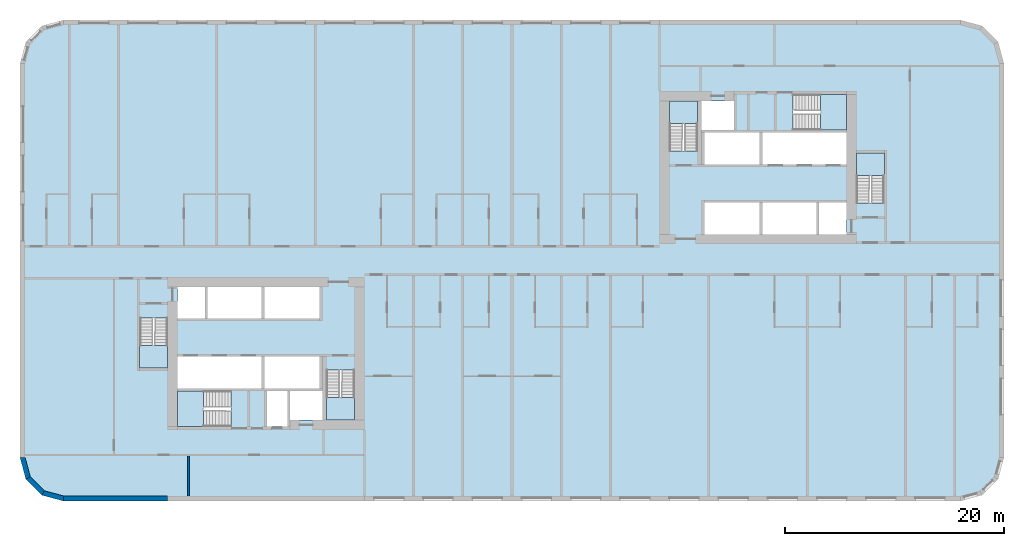
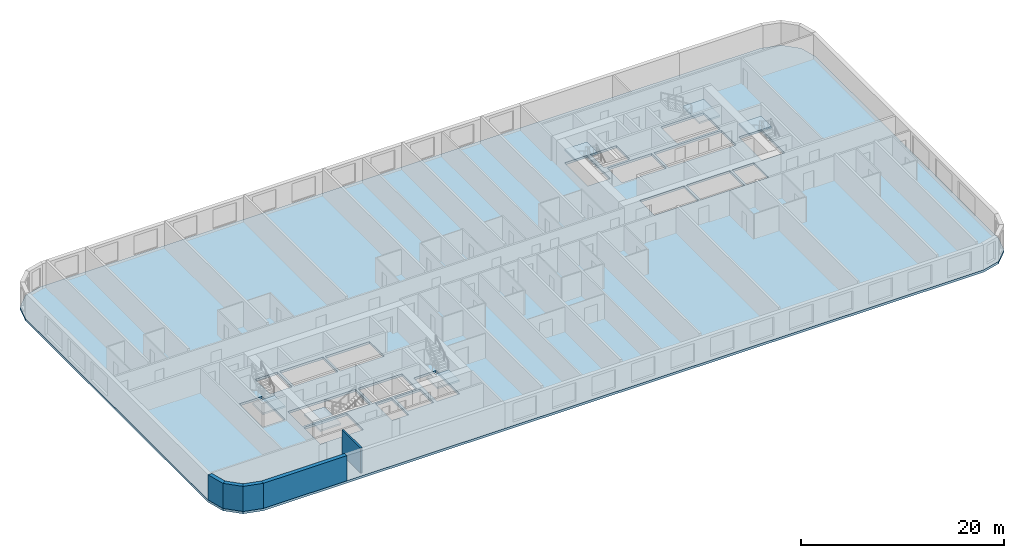
# One storey, part 1 of 12: 7 slabs, 5 walls, 6 elements without a shape of their own.
"""IFC4 building model written with IfcOpenShell, lengths in metres."""

from ifc_helpers import new_model, si_unit, direction, frame, frame_2d, origin, place, context, subcontext, project, spatial, polyline, rectangle, outline, extrude, material, layer, layer_set, type_object, element, aggregate, save


model = new_model("IFC4")

# Units and contexts
model_context = context("Model", 3, precision=1e-05, world=origin(), true_north=direction((0.0, 1.0)))
body_context = subcontext(model_context, "Body", "Model", "MODEL_VIEW")
ifc_project = project(units=[si_unit("LENGTHUNIT", "METRE"), si_unit("AREAUNIT", "SQUARE_METRE"), si_unit("VOLUMEUNIT", "CUBIC_METRE"), si_unit("PLANEANGLEUNIT", "RADIAN"), si_unit("MASSUNIT", "GRAM", prefix="KILO")], contexts=[model_context])

# Site, building, storey
site_placement = place(None, origin())
site = spatial("IfcSite", under=ifc_project, at=site_placement, CompositionType="ELEMENT")
building_placement = place(site_placement, origin())
building = spatial("IfcBuilding", under=site, at=building_placement, Name="Kajstack Hotel Tower", CompositionType="ELEMENT")
storey_placement = place(building_placement, frame((0.0, 0.0, 93.0)))
storey = spatial("IfcBuildingStorey", under=building, at=storey_placement, Name="L19", CompositionType="ELEMENT", Elevation=93.0)

# Slab
ifc_material_1 = material(Name="Concrete C40/50", Category="concrete")
ifc_layer_1 = layer(ifc_material_1, 0.280029296875)
ifc_layer_set_1 = layer_set([ifc_layer_1], Name="RC slab 280 C40/50 guest")
slab_type_1 = type_object("IfcSlabType", Name="RC slab 280 C40/50 guest", PredefinedType="FLOOR", material=ifc_layer_set_1)
slab_1_placement = place(storey_placement, frame((0.0, 0.0, -0.280029296875)))
element("IfcSlab", 1, at=slab_1_placement, inside=storey, type_object=slab_type_1, Name="S-slab-L19", PredefinedType="FLOOR", context=body_context, shape_type="SweptSolid", body=[
    extrude(outline(polyline([(-45.0, -18.0), (-44.464111328125, -20.0), (-43.0, -21.464111328125), (-41.0, -22.0), (41.0, -22.0), (43.0, -21.464111328125), (44.464111328125, -20.0), (45.0, -18.0), (45.0, 18.0), (44.464111328125, 20.0), (43.0, 21.464111328125), (41.0, 22.0), (-41.0, 22.0), (-43.0, 21.464111328125), (-44.464111328125, 20.0), (-45.0, 18.0), (-45.0, -18.0)]), holes=[polyline([(-30.60009765625, -11.699951171875), (-30.60009765625, -8.800048828125), (-22.89990234375, -8.800048828125), (-22.89990234375, -11.699951171875), (-30.60009765625, -11.699951171875)]), polyline([(-22.64990234375, -11.699951171875), (-22.64990234375, -8.800048828125), (-17.60009765625, -8.800048828125), (-17.60009765625, -11.699951171875), (-22.64990234375, -11.699951171875)]), polyline([(-27.85009765625, -5.300048828125), (-27.85009765625, -2.39990234375), (-22.89990234375, -2.39990234375), (-22.89990234375, -5.300048828125), (-27.85009765625, -5.300048828125)]), polyline([(-22.64990234375, -5.300048828125), (-22.64990234375, -2.39990234375), (-17.60009765625, -2.39990234375), (-17.60009765625, -5.300048828125), (-22.64990234375, -5.300048828125)]), polyline([(-20.300048828125, -14.60009765625), (-17.35009765625, -14.60009765625), (-17.35009765625, -11.949951171875), (-20.300048828125, -11.949951171875), (-20.300048828125, -14.60009765625)]), polyline([(-30.60009765625, -5.300048828125), (-28.10009765625, -5.300048828125), (-28.10009765625, -2.39990234375), (-30.60009765625, -2.39990234375), (-30.60009765625, -5.300048828125)]), polyline([(22.89990234375, 8.800048828125), (22.89990234375, 11.699951171875), (30.60009765625, 11.699951171875), (30.60009765625, 8.800048828125), (22.89990234375, 8.800048828125)]), polyline([(17.60009765625, 8.800048828125), (17.60009765625, 11.699951171875), (22.64990234375, 11.699951171875), (22.64990234375, 8.800048828125), (17.60009765625, 8.800048828125)]), polyline([(22.89990234375, 2.39990234375), (22.89990234375, 5.300048828125), (27.85009765625, 5.300048828125), (27.85009765625, 2.39990234375), (22.89990234375, 2.39990234375)]), polyline([(17.60009765625, 2.39990234375), (17.60009765625, 5.300048828125), (22.64990234375, 5.300048828125), (22.64990234375, 2.39990234375), (17.60009765625, 2.39990234375)]), polyline([(20.300048828125, 14.60009765625), (17.35009765625, 14.60009765625), (17.35009765625, 11.949951171875), (20.300048828125, 11.949951171875), (20.300048828125, 14.60009765625)]), polyline([(30.60009765625, 5.300048828125), (28.10009765625, 5.300048828125), (28.10009765625, 2.39990234375), (30.60009765625, 2.39990234375), (30.60009765625, 5.300048828125)]), polyline([(-34.050048828125, -9.85009765625), (-31.5, -9.85009765625), (-31.5, -5.25), (-34.050048828125, -5.25), (-34.050048828125, -9.85009765625)]), polyline([(-16.949951171875, -14.60009765625), (-14.39990234375, -14.60009765625), (-14.39990234375, -10.0), (-16.949951171875, -10.0), (-16.949951171875, -14.60009765625)]), polyline([(-30.60009765625, -15.199951171875), (-25.699951171875, -15.199951171875), (-25.699951171875, -11.949951171875), (-30.60009765625, -11.949951171875), (-30.60009765625, -15.199951171875)]), polyline([(34.050048828125, 9.85009765625), (31.5, 9.85009765625), (31.5, 5.25), (34.050048828125, 5.25), (34.050048828125, 9.85009765625)]), polyline([(16.949951171875, 14.60009765625), (14.39990234375, 14.60009765625), (14.39990234375, 10.0), (16.949951171875, 10.0), (16.949951171875, 14.60009765625)]), polyline([(30.60009765625, 15.199951171875), (25.699951171875, 15.199951171875), (25.699951171875, 11.949951171875), (30.60009765625, 11.949951171875), (30.60009765625, 15.199951171875)]), polyline([(-22.425048828125, -15.199951171875), (-22.425048828125, -11.949951171875), (-20.550048828125, -11.949951171875), (-20.550048828125, -15.199951171875), (-22.425048828125, -15.199951171875)])]), origin(), (0.0, 0.0, 1.0), 0.280029296875),
])

# Stair, slab
stair_type_1 = type_object("IfcStairType", Name="Exit stair 1200", PredefinedType="HALF_TURN_STAIR", material=ifc_material_1)
stair_1_placement = place(storey_placement, origin())
stair_1 = element("IfcStair", 2, at=stair_1_placement, inside=storey, type_object=stair_type_1, Name="L19 stair W1", PredefinedType="HALF_TURN_STAIR")
ifc_layer_2 = layer(ifc_material_1, 0.199951171875)
ifc_layer_set_2 = layer_set([ifc_layer_2], Name="Stair landing 200")
slab_type_2 = type_object("IfcSlabType", Name="Stair landing 200", PredefinedType="LANDING", material=ifc_layer_set_2)
slab_2_placement = place(storey_placement, frame((0.0, 0.0, 1.449951171875)))
slab_2 = element("IfcSlab", 3, at=slab_2_placement, type_object=slab_type_2, Name="W1 landing 1", PredefinedType="LANDING", context=body_context, shape_type="SweptSolid", body=[
    extrude(outline(polyline([(-34.050048828125, -7.77001953125), (-34.050048828125, -9.85009765625), (-31.5, -9.85009765625), (-31.5, -7.77001953125), (-34.050048828125, -7.77001953125)])), origin(), (0.0, 0.0, 1.0), 0.199951171875),
])
aggregate(stair_1, [slab_2])

stair_2_placement = place(storey_placement, origin())
stair_2 = element("IfcStair", 4, at=stair_2_placement, inside=storey, type_object=stair_type_1, Name="L19 stair W2", PredefinedType="HALF_TURN_STAIR")
slab_3_placement = place(storey_placement, frame((0.0, 0.0, 1.449951171875)))
slab_3 = element("IfcSlab", 5, at=slab_3_placement, type_object=slab_type_2, Name="W2 landing 1", PredefinedType="LANDING", context=body_context, shape_type="SweptSolid", body=[
    extrude(outline(polyline([(-16.949951171875, -12.52001953125), (-16.949951171875, -14.60009765625), (-14.39990234375, -14.60009765625), (-14.39990234375, -12.52001953125), (-16.949951171875, -12.52001953125)])), origin(), (0.0, 0.0, 1.0), 0.199951171875),
])
aggregate(stair_2, [slab_3])

stair_type_2 = type_object("IfcStairType", Name="Exit stair 1500", PredefinedType="HALF_TURN_STAIR", material=ifc_material_1)
stair_3_placement = place(storey_placement, origin())
stair_3 = element("IfcStair", 6, at=stair_3_placement, inside=storey, type_object=stair_type_2, Name="L19 stair W3", PredefinedType="HALF_TURN_STAIR")
slab_4_placement = place(storey_placement, frame((0.0, 0.0, 1.449951171875)))
slab_4 = element("IfcSlab", 7, at=slab_4_placement, type_object=slab_type_2, Name="W3 landing 1", PredefinedType="LANDING", context=body_context, shape_type="SweptSolid", body=[
    extrude(outline(polyline([(-28.219970703125, -11.949951171875), (-30.60009765625, -11.949951171875), (-30.60009765625, -15.199951171875), (-28.219970703125, -15.199951171875), (-28.219970703125, -11.949951171875)])), origin(), (0.0, 0.0, 1.0), 0.199951171875),
])
aggregate(stair_3, [slab_4])

stair_4_placement = place(storey_placement, origin())
stair_4 = element("IfcStair", 8, at=stair_4_placement, inside=storey, type_object=stair_type_1, Name="L19 stair E1", PredefinedType="HALF_TURN_STAIR")
slab_5_placement = place(storey_placement, frame((0.0, 0.0, 1.449951171875)))
slab_5 = element("IfcSlab", 9, at=slab_5_placement, type_object=slab_type_2, Name="E1 landing 1", PredefinedType="LANDING", context=body_context, shape_type="SweptSolid", body=[
    extrude(outline(polyline([(34.050048828125, 7.77001953125), (34.050048828125, 9.85009765625), (31.5, 9.85009765625), (31.5, 7.77001953125), (34.050048828125, 7.77001953125)])), origin(), (0.0, 0.0, 1.0), 0.199951171875),
])
aggregate(stair_4, [slab_5])

stair_5_placement = place(storey_placement, origin())
stair_5 = element("IfcStair", 10, at=stair_5_placement, inside=storey, type_object=stair_type_1, Name="L19 stair E2", PredefinedType="HALF_TURN_STAIR")
slab_6_placement = place(storey_placement, frame((0.0, 0.0, 1.449951171875)))
slab_6 = element("IfcSlab", 11, at=slab_6_placement, type_object=slab_type_2, Name="E2 landing 1", PredefinedType="LANDING", context=body_context, shape_type="SweptSolid", body=[
    extrude(outline(polyline([(16.949951171875, 12.52001953125), (16.949951171875, 14.60009765625), (14.39990234375, 14.60009765625), (14.39990234375, 12.52001953125), (16.949951171875, 12.52001953125)])), origin(), (0.0, 0.0, 1.0), 0.199951171875),
])
aggregate(stair_5, [slab_6])

stair_6_placement = place(storey_placement, origin())
stair_6 = element("IfcStair", 12, at=stair_6_placement, inside=storey, type_object=stair_type_2, Name="L19 stair E3", PredefinedType="HALF_TURN_STAIR")
slab_7_placement = place(storey_placement, frame((0.0, 0.0, 1.449951171875)))
slab_7 = element("IfcSlab", 13, at=slab_7_placement, type_object=slab_type_2, Name="E3 landing 1", PredefinedType="LANDING", context=body_context, shape_type="SweptSolid", body=[
    extrude(outline(polyline([(28.219970703125, 11.949951171875), (30.60009765625, 11.949951171875), (30.60009765625, 15.199951171875), (28.219970703125, 15.199951171875), (28.219970703125, 11.949951171875)])), origin(), (0.0, 0.0, 1.0), 0.199951171875),
])
aggregate(stair_6, [slab_7])

# Walls
ifc_material_2 = material(Name="Terracotta-faced brick masonry", Category="masonry")
ifc_layer_3 = layer(ifc_material_2, 0.449951171875)
ifc_layer_set_3 = layer_set([ifc_layer_3], Name="EW-TERRA")
wall_type_1 = type_object("IfcWallType", Name="EW-TERRA", PredefinedType="SOLIDWALL", material=ifc_layer_set_3)
wall_1_placement = place(storey_placement, frame((-44.78271484375, -17.941650390625, 0.0), z_axis=(0.0, 0.0, 1.0), x_axis=(0.25881466832, -0.965926999034, 0.0)))
element("IfcWall", 14, at=wall_1_placement, inside=storey, type_object=wall_type_1, Name="E-wall-L19-00-00", PredefinedType="SOLIDWALL", context=body_context, shape_type="SweptSolid", body=[
    extrude(outline(polyline([(0.000244140625, -0.22509765625), (2.070556640625, -0.224853515625), (1.9501953125, 0.22509765625), (0.12060546875, 0.22509765625), (0.000244140625, -0.22509765625)])), origin(), (0.0, 0.0, 1.0), 3.02001953125),
])
wall_2_placement = place(storey_placement, frame((-44.304931640625, -19.8408203125, 0.0), z_axis=(0.0, 0.0, 1.0), x_axis=(0.707106781187, -0.707106781187, 0.0)))
element("IfcWall", 15, at=wall_2_placement, inside=storey, type_object=wall_type_1, Name="E-wall-L19-01-00", PredefinedType="SOLIDWALL", context=body_context, shape_type="SweptSolid", body=[
    extrude(outline(polyline([(0.0, -0.22509765625), (2.070556640625, -0.22509765625), (1.949951171875, 0.224853515625), (0.12060546875, 0.224853515625), (0.0, -0.22509765625)])), origin(), (0.0, 0.0, 1.0), 3.02001953125),
])
wall_3_placement = place(storey_placement, frame((-42.941650390625, -21.246826171875, 0.0), z_axis=(0.0, 0.0, 1.0), x_axis=(0.965926999034, -0.25881466832, 0.0)))
element("IfcWall", 16, at=wall_3_placement, inside=storey, type_object=wall_type_1, Name="E-wall-L19-02-00", PredefinedType="SOLIDWALL", context=body_context, shape_type="SweptSolid", body=[
    extrude(outline(polyline([(-0.000244140625, -0.224853515625), (2.0703125, -0.22509765625), (1.949951171875, 0.22509765625), (0.120361328125, 0.22509765625), (-0.000244140625, -0.224853515625)])), origin(), (0.0, 0.0, 1.0), 3.02001953125),
])
wall_4_placement = place(storey_placement, frame((-41.0, -21.77490234375, 0.0), z_axis=(0.0, 0.0, 1.0), x_axis=(1.0, 0.0, 0.0)))
element("IfcWall", 17, at=wall_4_placement, inside=storey, type_object=wall_type_1, Name="E-wall-L19-03-00", PredefinedType="SOLIDWALL", context=body_context, shape_type="SweptSolid", body=[
    extrude(rectangle(XDim=9.5, YDim=0.449951171875, at=frame_2d((4.75, 0.0))), origin(), (0.0, 0.0, 1.0), 3.02001953125),
])
ifc_material_3 = material(Name="Gypsum board on steel studs, mineral wool", Category="steel")
ifc_layer_4 = layer(ifc_material_3, 0.199951171875)
ifc_layer_set_4 = layer_set([ifc_layer_4], Name="Service partition 200")
wall_type_2 = type_object("IfcWallType", Name="Service partition 200", PredefinedType="PARTITIONING", material=ifc_layer_set_4)
wall_5_placement = place(storey_placement, frame((-29.60009765625, -21.550048828125, 0.0), z_axis=(0.0, 0.0, 1.0), x_axis=(0.0, 1.0, 0.0)))
element("IfcWall", 18, at=wall_5_placement, inside=storey, type_object=wall_type_2, Name="Partition W SLP0", PredefinedType="PARTITIONING", context=body_context, shape_type="SweptSolid", body=[
    extrude(rectangle(XDim=3.650146484375, YDim=0.199951171875, at=frame_2d((1.8251953125, 0.0))), origin(), (0.0, 0.0, 1.0), 3.02001953125),
])

save(model, "model.ifc")
